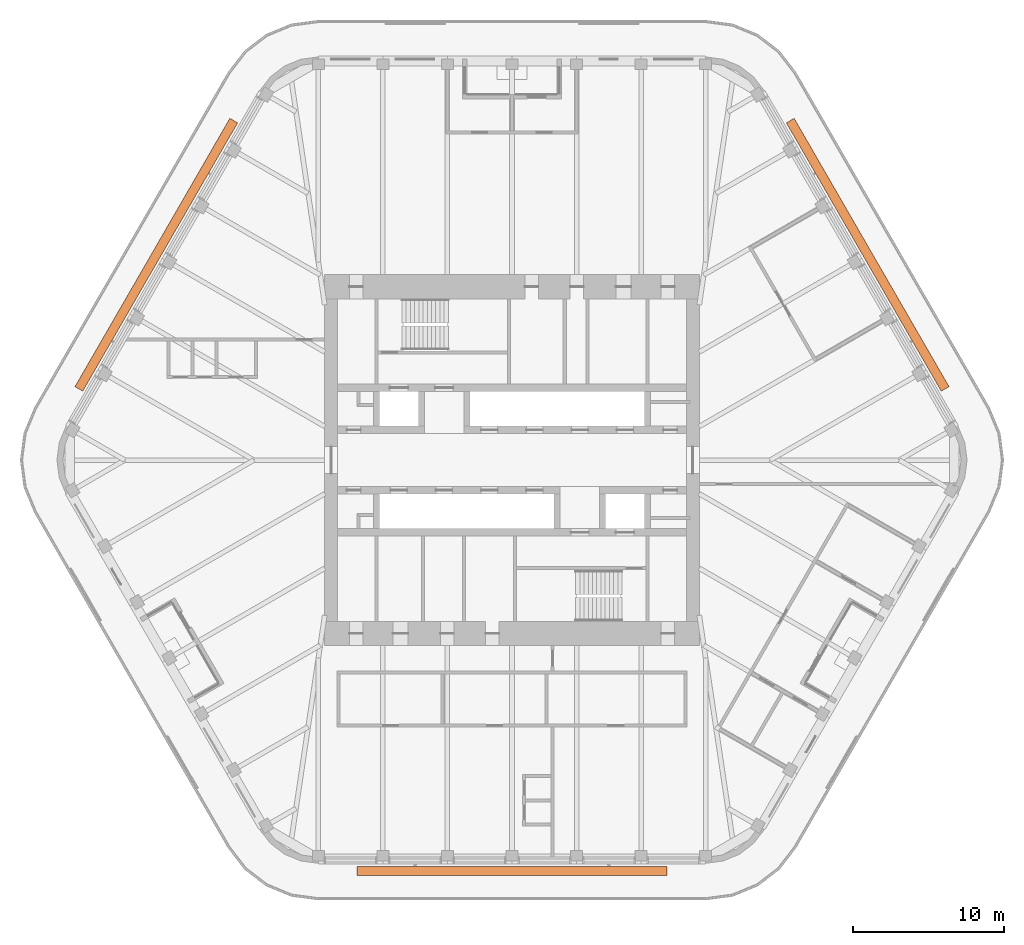
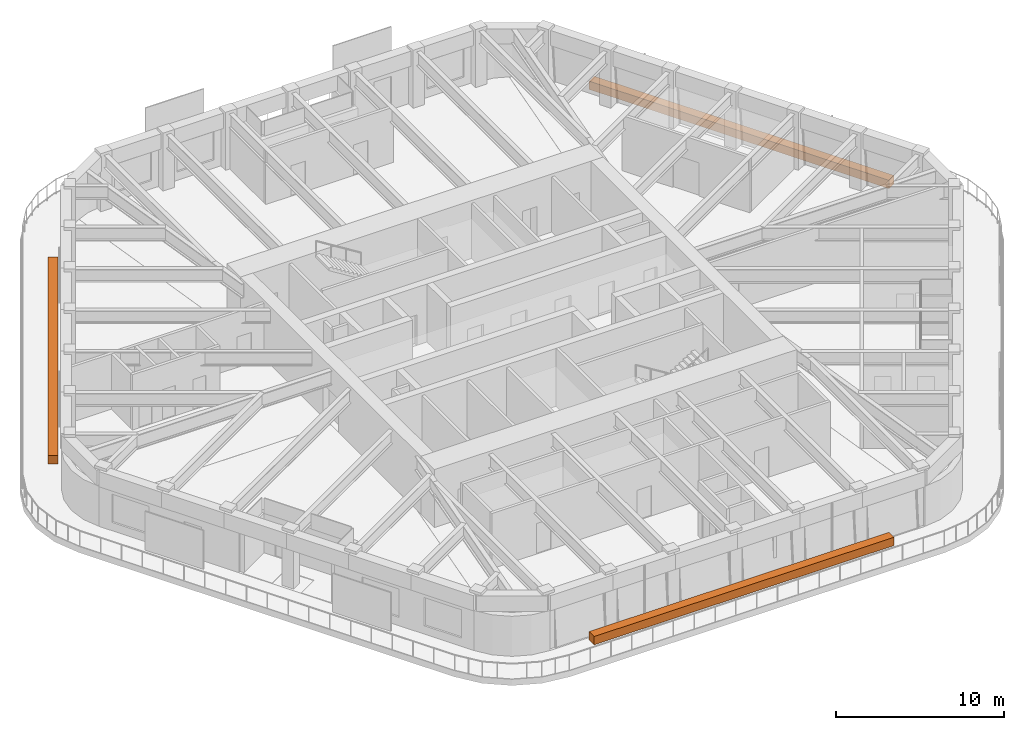
# One storey, part 20 of 20: 3 proxies.
"""IFC4 building model written with IfcOpenShell, lengths in metres."""

from ifc_helpers import new_model, si_unit, direction, frame, origin, origin_2d, place, context, subcontext, project, spatial, rectangle, extrude, material, element, save


model = new_model("IFC4")

# Units and contexts
model_context = context("Model", 3, precision=1e-05, world=origin(), true_north=direction((0.0, 1.0)))
body_context = subcontext(model_context, "Body", "Model", "MODEL_VIEW")
ifc_project = project(units=[si_unit("LENGTHUNIT", "METRE"), si_unit("AREAUNIT", "SQUARE_METRE"), si_unit("VOLUMEUNIT", "CUBIC_METRE"), si_unit("PLANEANGLEUNIT", "RADIAN"), si_unit("MASSUNIT", "GRAM", prefix="KILO")], contexts=[model_context])

# Site, building, storey
site_placement = place(None, origin())
site = spatial("IfcSite", under=ifc_project, at=site_placement, CompositionType="ELEMENT")
building_placement = place(site_placement, origin())
building = spatial("IfcBuilding", under=site, at=building_placement, Name="Tarfa Lantern Tower", CompositionType="ELEMENT")
storey_placement = place(building_placement, frame((0.0, 0.0, 382.89990234375)))
storey = spatial("IfcBuildingStorey", under=building, at=storey_placement, Name="L87", CompositionType="ELEMENT", Elevation=382.89990234375)

# Proxies
ifc_material = material(Name="Planting bed")
for number, where, z_axis, x_axis, name in (
    (1, (23.59912109375, 13.625, 0.0), (0.0, 0.0, 1.0), (-0.5, 0.866025403784, 0.0), "Balcony planter"),
    (2, (-23.59912109375, 13.625, 0.0), (0.0, 0.0, 1.0), (-0.5, -0.866025403784, 0.0), "Balcony planter"),
    (3, (0.0, -27.25, 0.0), (0.0, 0.0, 1.0), (1.0, 0.0, 0.0), "Balcony planter"),
):
    element("IfcBuildingElementProxy", number, at=place(storey_placement, frame(where, z_axis=z_axis, x_axis=x_axis)), inside=storey, material=ifc_material, Name=name, ObjectType="PLANTER", PredefinedType="USERDEFINED", context=body_context, shape_type="SweptSolid", body=[
        extrude(rectangle(XDim=20.5537109375, YDim=0.60009765625, at=origin_2d()), origin(), (0.0, 0.0, 1.0), 0.60009765625),
    ])

save(model, "model.ifc")
